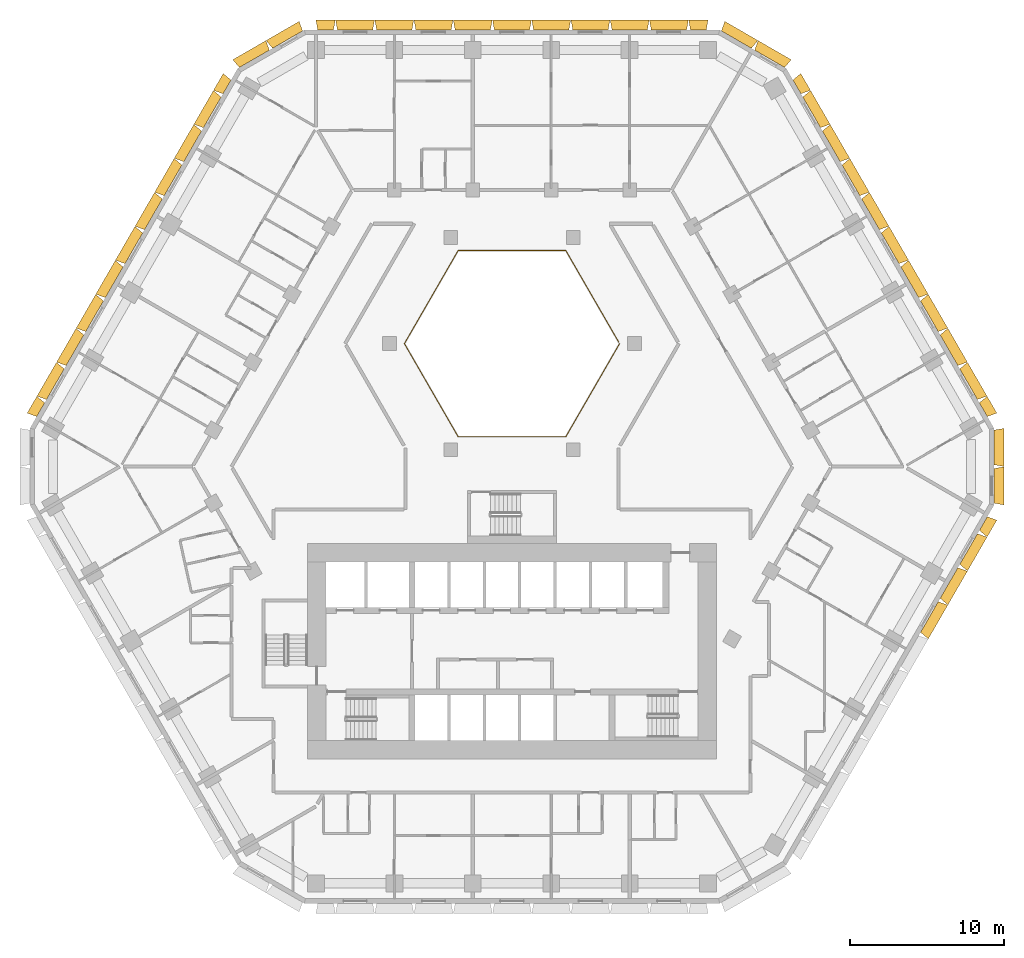
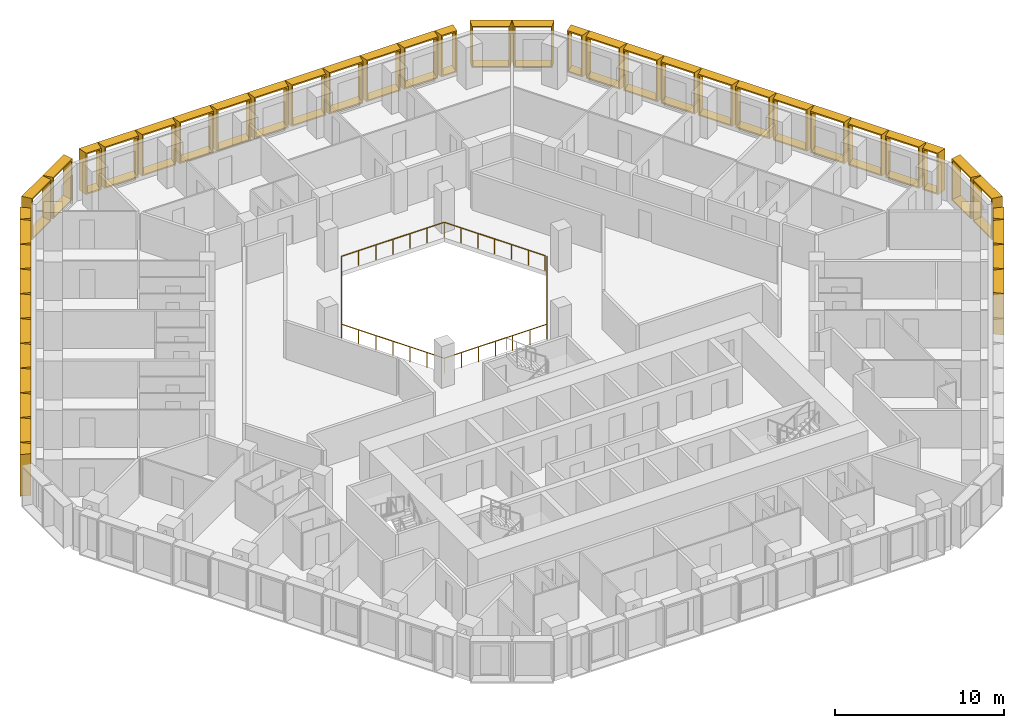
# One storey, part 16 of 16: 43 shading devices, 1 railing.
"""IFC4 building model written with IfcOpenShell, lengths in metres."""

from ifc_helpers import new_model, entity, si_unit, direction, frame, origin, origin_2d, place, context, subcontext, project, spatial, rectangle, extrude, source, transform, mapped, material, type_object, type_shapes, element, save


model = new_model("IFC4")

# Units and contexts
model_context = context("Model", 3, precision=1e-05, world=origin(), true_north=direction((0.0, 1.0)))
body_context = subcontext(model_context, "Body", "Model", "MODEL_VIEW")
ifc_project = project(units=[si_unit("LENGTHUNIT", "METRE"), si_unit("AREAUNIT", "SQUARE_METRE"), si_unit("VOLUMEUNIT", "CUBIC_METRE"), si_unit("PLANEANGLEUNIT", "RADIAN"), si_unit("MASSUNIT", "GRAM", prefix="KILO")], contexts=[model_context])

# Site, building, storey
site_placement = place(None, origin())
site = spatial("IfcSite", under=ifc_project, at=site_placement, CompositionType="ELEMENT")
building_placement = place(site_placement, origin())
building = spatial("IfcBuilding", under=site, at=building_placement, Name="Beryl Residences", CompositionType="ELEMENT")
storey_placement = place(building_placement, frame((0.0, 0.0, 44.39990234375)))
storey = spatial("IfcBuildingStorey", under=building, at=storey_placement, Name="L13", CompositionType="ELEMENT", Elevation=44.39990234375)

# Railing
ifc_material_1 = material(Name="Stainless steel balustrade with glass infill", Category="steel")
railing_type = type_object("IfcRailingType", Name="EG1 edge guard 1100 mm", PredefinedType="GUARDRAIL", material=ifc_material_1)
railing_placement = place(storey_placement, frame((6.9970703125, 8.0, 0.0)))
element("IfcRailing", 1, at=railing_placement, inside=storey, type_object=railing_type, Name="L13 atrium guard", PredefinedType="GUARDRAIL", context=body_context, shape_type="SweptSolid", body=[
    extrude(rectangle(XDim=0.048095703125, YDim=0.048095703125, at=origin_2d()), frame((0.0, 0.0, 1.076171875), z_axis=(-0.499921796684, -0.866070549782, 0.0), x_axis=(0.866070549782, -0.499921796684, 0.0)), (0.0, 0.0, 1.0), 6.9970703125),
    extrude(rectangle(XDim=0.048095703125, YDim=0.048095703125, at=origin_2d()), frame((-3.498046875, -6.06005859375, 1.076171875), z_axis=(-1.0, 0.0, 0.0), x_axis=(0.0, -1.0, 0.0)), (0.0, 0.0, 1.0), 6.998046875),
    extrude(rectangle(XDim=0.048095703125, YDim=0.048095703125, at=origin_2d()), frame((-10.49609375, -6.06005859375, 1.076171875), z_axis=(-0.499921796684, 0.866070549782, 0.0), x_axis=(-0.866070549782, -0.499921796684, 0.0)), (0.0, 0.0, 1.0), 6.9970703125),
    extrude(rectangle(XDim=0.048095703125, YDim=0.048095703125, at=origin_2d()), frame((-13.994140625, 0.0, 1.076171875), z_axis=(0.499921796684, 0.866070549782, 0.0), x_axis=(-0.866070549782, 0.499921796684, 0.0)), (0.0, 0.0, 1.0), 6.9970703125),
    extrude(rectangle(XDim=0.048095703125, YDim=0.048095703125, at=origin_2d()), frame((-10.49609375, 6.06005859375, 1.076171875), z_axis=(1.0, 0.0, 0.0), x_axis=(0.0, 1.0, 0.0)), (0.0, 0.0, 1.0), 6.998046875),
    extrude(rectangle(XDim=0.048095703125, YDim=0.048095703125, at=origin_2d()), frame((-3.498046875, 6.06005859375, 1.076171875), z_axis=(0.499919131929, -0.866072087953, 0.0), x_axis=(0.866072087953, 0.499919131929, 0.0)), (0.0, 0.0, 1.0), 6.877197265625),
    extrude(rectangle(XDim=0.0419921875, YDim=0.0419921875, at=origin_2d()), origin(), (0.0, 0.0, 1.0), 1.052001953125),
    extrude(rectangle(XDim=0.0419921875, YDim=0.0419921875, at=origin_2d()), frame((-0.5830078125, -1.010009765625, 0.0)), (0.0, 0.0, 1.0), 1.052001953125),
    extrude(rectangle(XDim=0.0419921875, YDim=0.0419921875, at=origin_2d()), frame((-1.166015625, -2.02001953125, 0.0)), (0.0, 0.0, 1.0), 1.052001953125),
    extrude(rectangle(XDim=0.0419921875, YDim=0.0419921875, at=origin_2d()), frame((-1.7490234375, -3.030029296875, 0.0)), (0.0, 0.0, 1.0), 1.052001953125),
    extrude(rectangle(XDim=0.0419921875, YDim=0.0419921875, at=origin_2d()), frame((-2.33203125, -4.0400390625, 0.0)), (0.0, 0.0, 1.0), 1.052001953125),
    extrude(rectangle(XDim=0.0419921875, YDim=0.0419921875, at=origin_2d()), frame((-2.9150390625, -5.050048828125, 0.0)), (0.0, 0.0, 1.0), 1.052001953125),
    extrude(rectangle(XDim=0.0419921875, YDim=0.0419921875, at=origin_2d()), frame((-3.498046875, -6.06005859375, 0.0)), (0.0, 0.0, 1.0), 1.052001953125),
    extrude(rectangle(XDim=0.0419921875, YDim=0.0419921875, at=origin_2d()), frame((-4.664306640625, -6.06005859375, 0.0)), (0.0, 0.0, 1.0), 1.052001953125),
    extrude(rectangle(XDim=0.0419921875, YDim=0.0419921875, at=origin_2d()), frame((-5.830810546875, -6.06005859375, 0.0)), (0.0, 0.0, 1.0), 1.052001953125),
    extrude(rectangle(XDim=0.0419921875, YDim=0.0419921875, at=origin_2d()), frame((-6.9970703125, -6.06005859375, 0.0)), (0.0, 0.0, 1.0), 1.052001953125),
    extrude(rectangle(XDim=0.0419921875, YDim=0.0419921875, at=origin_2d()), frame((-8.163330078125, -6.06005859375, 0.0)), (0.0, 0.0, 1.0), 1.052001953125),
    extrude(rectangle(XDim=0.0419921875, YDim=0.0419921875, at=origin_2d()), frame((-9.329833984375, -6.06005859375, 0.0)), (0.0, 0.0, 1.0), 1.052001953125),
    extrude(rectangle(XDim=0.0419921875, YDim=0.0419921875, at=origin_2d()), frame((-10.49609375, -6.06005859375, 0.0)), (0.0, 0.0, 1.0), 1.052001953125),
    extrude(rectangle(XDim=0.0419921875, YDim=0.0419921875, at=origin_2d()), frame((-11.0791015625, -5.050048828125, 0.0)), (0.0, 0.0, 1.0), 1.052001953125),
    extrude(rectangle(XDim=0.0419921875, YDim=0.0419921875, at=origin_2d()), frame((-11.662109375, -4.0400390625, 0.0)), (0.0, 0.0, 1.0), 1.052001953125),
    extrude(rectangle(XDim=0.0419921875, YDim=0.0419921875, at=origin_2d()), frame((-12.2451171875, -3.030029296875, 0.0)), (0.0, 0.0, 1.0), 1.052001953125),
    extrude(rectangle(XDim=0.0419921875, YDim=0.0419921875, at=origin_2d()), frame((-12.828125, -2.02001953125, 0.0)), (0.0, 0.0, 1.0), 1.052001953125),
    extrude(rectangle(XDim=0.0419921875, YDim=0.0419921875, at=origin_2d()), frame((-13.4111328125, -1.010009765625, 0.0)), (0.0, 0.0, 1.0), 1.052001953125),
    extrude(rectangle(XDim=0.0419921875, YDim=0.0419921875, at=origin_2d()), frame((-13.994140625, 0.0, 0.0)), (0.0, 0.0, 1.0), 1.052001953125),
    extrude(rectangle(XDim=0.0419921875, YDim=0.0419921875, at=origin_2d()), frame((-13.4111328125, 1.010009765625, 0.0)), (0.0, 0.0, 1.0), 1.052001953125),
    extrude(rectangle(XDim=0.0419921875, YDim=0.0419921875, at=origin_2d()), frame((-12.828125, 2.02001953125, 0.0)), (0.0, 0.0, 1.0), 1.052001953125),
    extrude(rectangle(XDim=0.0419921875, YDim=0.0419921875, at=origin_2d()), frame((-12.2451171875, 3.030029296875, 0.0)), (0.0, 0.0, 1.0), 1.052001953125),
    extrude(rectangle(XDim=0.0419921875, YDim=0.0419921875, at=origin_2d()), frame((-11.662109375, 4.0400390625, 0.0)), (0.0, 0.0, 1.0), 1.052001953125),
    extrude(rectangle(XDim=0.0419921875, YDim=0.0419921875, at=origin_2d()), frame((-11.0791015625, 5.050048828125, 0.0)), (0.0, 0.0, 1.0), 1.052001953125),
    extrude(rectangle(XDim=0.0419921875, YDim=0.0419921875, at=origin_2d()), frame((-10.49609375, 6.06005859375, 0.0)), (0.0, 0.0, 1.0), 1.052001953125),
    extrude(rectangle(XDim=0.0419921875, YDim=0.0419921875, at=origin_2d()), frame((-9.329833984375, 6.06005859375, 0.0)), (0.0, 0.0, 1.0), 1.052001953125),
    extrude(rectangle(XDim=0.0419921875, YDim=0.0419921875, at=origin_2d()), frame((-8.163330078125, 6.06005859375, 0.0)), (0.0, 0.0, 1.0), 1.052001953125),
    extrude(rectangle(XDim=0.0419921875, YDim=0.0419921875, at=origin_2d()), frame((-6.9970703125, 6.06005859375, 0.0)), (0.0, 0.0, 1.0), 1.052001953125),
    extrude(rectangle(XDim=0.0419921875, YDim=0.0419921875, at=origin_2d()), frame((-5.830810546875, 6.06005859375, 0.0)), (0.0, 0.0, 1.0), 1.052001953125),
    extrude(rectangle(XDim=0.0419921875, YDim=0.0419921875, at=origin_2d()), frame((-4.664306640625, 6.06005859375, 0.0)), (0.0, 0.0, 1.0), 1.052001953125),
    extrude(rectangle(XDim=0.0419921875, YDim=0.0419921875, at=origin_2d()), frame((-3.498046875, 6.06005859375, 0.0)), (0.0, 0.0, 1.0), 1.052001953125),
    extrude(rectangle(XDim=0.0419921875, YDim=0.0419921875, at=origin_2d()), frame((-2.925048828125, 5.0673828125, 0.0)), (0.0, 0.0, 1.0), 1.052001953125),
    extrude(rectangle(XDim=0.0419921875, YDim=0.0419921875, at=origin_2d()), frame((-2.35205078125, 4.07470703125, 0.0)), (0.0, 0.0, 1.0), 1.052001953125),
    extrude(rectangle(XDim=0.0419921875, YDim=0.0419921875, at=origin_2d()), frame((-1.779052734375, 3.08203125, 0.0)), (0.0, 0.0, 1.0), 1.052001953125),
    extrude(rectangle(XDim=0.0419921875, YDim=0.0419921875, at=origin_2d()), frame((-1.2060546875, 2.08935546875, 0.0)), (0.0, 0.0, 1.0), 1.052001953125),
    extrude(rectangle(XDim=0.0419921875, YDim=0.0419921875, at=origin_2d()), frame((-0.633056640625, 1.0966796875, 0.0)), (0.0, 0.0, 1.0), 1.052001953125),
    extrude(rectangle(XDim=0.0419921875, YDim=0.0419921875, at=origin_2d()), frame((-0.06005859375, 0.10400390625, 0.0)), (0.0, 0.0, 1.0), 1.052001953125),
])

# Shading devices
ifc_material_2 = material(Name="Aluminium pale anodised", Category="aluminium")
shading_device_type_1 = type_object("IfcShadingDeviceType", Name="FR128-65A OUTER SKIN frame 650 mm deep, splay 10/10 deg, 1280 x 3000 mm cell", PredefinedType="USERDEFINED", material=ifc_material_2)
cartesian_point_1 = entity("IfcCartesianPoint", [-0.514892578125, 0.0])
cartesian_point_2 = entity("IfcCartesianPoint", [-0.433837890625, 0.10009765625])
cartesian_point_3 = entity("IfcCartesianPoint", [-0.629638671875, 0.0])
cartesian_point_4 = entity("IfcCartesianPoint", [-0.54833984375, 0.10009765625])
shared_shape_1 = source(origin(), body_context, "Body", "SweptSolid", [
    entity("IfcExtrudedAreaSolidTapered", entity("IfcArbitraryProfileDefWithVoids", "AREA", None, entity("IfcPolyline", [cartesian_point_1, entity("IfcCartesianPoint", [0.514892578125, 0.0]), entity("IfcCartesianPoint", [0.514892578125, 3.0]), entity("IfcCartesianPoint", [-0.514892578125, 3.0]), cartesian_point_1]), [entity("IfcPolyline", [cartesian_point_2, entity("IfcCartesianPoint", [0.433837890625, 0.10009765625]), entity("IfcCartesianPoint", [0.433837890625, 2.89990234375]), entity("IfcCartesianPoint", [-0.433837890625, 2.89990234375]), cartesian_point_2])]), entity("IfcAxis2Placement3D", entity("IfcCartesianPoint", [0.0, 0.0, 0.0]), entity("IfcDirection", [0.0, 1.0, 0.0]), entity("IfcDirection", [-1.0, 0.0, 0.0])), entity("IfcDirection", [0.0, 0.0, 1.0]), 0.64990234375, entity("IfcArbitraryProfileDefWithVoids", "AREA", None, entity("IfcPolyline", [cartesian_point_3, entity("IfcCartesianPoint", [0.629638671875, 0.0]), entity("IfcCartesianPoint", [0.629638671875, 3.0]), entity("IfcCartesianPoint", [-0.629638671875, 3.0]), cartesian_point_3]), [entity("IfcPolyline", [cartesian_point_4, entity("IfcCartesianPoint", [0.54833984375, 0.10009765625]), entity("IfcCartesianPoint", [0.54833984375, 2.89990234375]), entity("IfcCartesianPoint", [-0.54833984375, 2.89990234375]), cartesian_point_4])])),
])
type_shapes(shading_device_type_1, [shared_shape_1])
for number, where, z_axis, x_axis, name in (
    (2, (12.12109375, 28.39990234375, 0.0), (0.0, 0.0, 1.0), (1.0, 0.0, 0.0), "FR128-65A frame L13 N 1"),
    (3, (-12.123046875, 28.39990234375, 0.0), (0.0, 0.0, 1.0), (1.0, 0.0, 0.0), "FR128-65A frame L13 N 11"),
    (4, (-18.534912109375, 24.697021484375, 0.0), (0.0, 0.0, 1.0), (0.5, 0.866025403784, 0.0), "FR128-65A frame L13 NW 1"),
    (5, (-30.656005859375, 3.700927734375, 0.0), (0.0, 0.0, 1.0), (0.5, 0.866025403784, 0.0), "FR128-65A frame L13 NW 11"),
    (6, (30.656005859375, -3.700927734375, 0.0), (0.0, 0.0, 1.0), (-0.5, -0.866025403784, 0.0), "FR128-65A frame L13 SE 11"),
    (7, (30.655029296875, 3.702880859375, 0.0), (0.0, 0.0, 1.0), (0.5, -0.866025403784, 0.0), "FR128-65A frame L13 NE 1"),
    (8, (18.533935546875, 24.698974609375, 0.0), (0.0, 0.0, 1.0), (0.5, -0.866025403784, 0.0), "FR128-65A frame L13 NE 11"),
):
    element("IfcShadingDevice", number, at=place(storey_placement, frame(where, z_axis=z_axis, x_axis=x_axis)), inside=storey, type_object=shading_device_type_1, Name=name, ObjectType="OUTER SKIN", PredefinedType="USERDEFINED", context=body_context, shape_type="MappedRepresentation", body=[
        mapped(shared_shape_1, transform((0.0, 0.0, 0.0))),
    ])
ifc_material_3 = material(Name="Aluminium pale anodised", Category="aluminium")
shading_device_type_2 = type_object("IfcShadingDeviceType", Name="FR250-65A OUTER SKIN frame 650 mm deep, splay 10/10 deg, 2500 x 3000 mm cell", PredefinedType="USERDEFINED", material=ifc_material_3)
cartesian_point_5 = entity("IfcCartesianPoint", [-1.125, 0.0])
cartesian_point_6 = entity("IfcCartesianPoint", [-1.043701171875, 0.10009765625])
cartesian_point_7 = entity("IfcCartesianPoint", [-1.239501953125, 0.0])
cartesian_point_8 = entity("IfcCartesianPoint", [-1.158447265625, 0.10009765625])
shared_shape_2 = source(origin(), body_context, "Body", "SweptSolid", [
    entity("IfcExtrudedAreaSolidTapered", entity("IfcArbitraryProfileDefWithVoids", "AREA", None, entity("IfcPolyline", [cartesian_point_5, entity("IfcCartesianPoint", [1.125, 0.0]), entity("IfcCartesianPoint", [1.125, 3.0]), entity("IfcCartesianPoint", [-1.125, 3.0]), cartesian_point_5]), [entity("IfcPolyline", [cartesian_point_6, entity("IfcCartesianPoint", [1.043701171875, 0.10009765625]), entity("IfcCartesianPoint", [1.043701171875, 2.89990234375]), entity("IfcCartesianPoint", [-1.043701171875, 2.89990234375]), cartesian_point_6])]), entity("IfcAxis2Placement3D", entity("IfcCartesianPoint", [0.0, 0.0, 0.0]), entity("IfcDirection", [0.0, 1.0, 0.0]), entity("IfcDirection", [-1.0, 0.0, 0.0])), entity("IfcDirection", [0.0, 0.0, 1.0]), 0.64990234375, entity("IfcArbitraryProfileDefWithVoids", "AREA", None, entity("IfcPolyline", [cartesian_point_7, entity("IfcCartesianPoint", [1.239501953125, 0.0]), entity("IfcCartesianPoint", [1.239501953125, 3.0]), entity("IfcCartesianPoint", [-1.239501953125, 3.0]), cartesian_point_7]), [entity("IfcPolyline", [cartesian_point_8, entity("IfcCartesianPoint", [1.158447265625, 0.10009765625]), entity("IfcCartesianPoint", [1.158447265625, 2.89990234375]), entity("IfcCartesianPoint", [-1.158447265625, 2.89990234375]), cartesian_point_8])])),
])
type_shapes(shading_device_type_2, [shared_shape_2])
for number, where, z_axis, x_axis, name in (
    (9, (-14.593017578125, 27.77490234375, 0.0), (0.0, 0.0, 1.0), (0.866025403784, 0.5, 0.0), "FR250-65A frame L13 N-NW 1"),
    (10, (-16.758056640625, 26.52490234375, 0.0), (0.0, 0.0, 1.0), (0.866025403784, 0.5, 0.0), "FR250-65A frame L13 N-NW 2"),
    (11, (31.35009765625, -1.25, 0.0), (0.0, 0.0, 1.0), (0.0, -1.0, 0.0), "FR250-65A frame L13 SE-NE 1"),
    (12, (31.35009765625, 1.25, 0.0), (0.0, 0.0, 1.0), (0.0, -1.0, 0.0), "FR250-65A frame L13 SE-NE 2"),
    (13, (16.758056640625, 26.52490234375, 0.0), (0.0, 0.0, 1.0), (0.866025403784, -0.5, 0.0), "FR250-65A frame L13 NE-N 1"),
    (14, (14.593017578125, 27.77490234375, 0.0), (0.0, 0.0, 1.0), (0.866025403784, -0.5, 0.0), "FR250-65A frame L13 NE-N 2"),
):
    element("IfcShadingDevice", number, at=place(storey_placement, frame(where, z_axis=z_axis, x_axis=x_axis)), inside=storey, type_object=shading_device_type_2, Name=name, ObjectType="OUTER SKIN", PredefinedType="USERDEFINED", context=body_context, shape_type="MappedRepresentation", body=[
        mapped(shared_shape_2, transform((0.0, 0.0, 0.0))),
    ])
ifc_material_4 = material(Name="Aluminium pale anodised", Category="aluminium")
shading_device_type_3 = type_object("IfcShadingDeviceType", Name="FR255-65A OUTER SKIN frame 650 mm deep, splay 10/10 deg, 2550 x 3000 mm cell", PredefinedType="USERDEFINED", material=ifc_material_4)
cartesian_point_9 = entity("IfcCartesianPoint", [-1.14990234375, 0.0])
cartesian_point_10 = entity("IfcCartesianPoint", [-1.06884765625, 0.10009765625])
cartesian_point_11 = entity("IfcCartesianPoint", [-1.2646484375, 0.0])
cartesian_point_12 = entity("IfcCartesianPoint", [-1.183349609375, 0.10009765625])
shared_shape_3 = source(origin(), body_context, "Body", "SweptSolid", [
    entity("IfcExtrudedAreaSolidTapered", entity("IfcArbitraryProfileDefWithVoids", "AREA", None, entity("IfcPolyline", [cartesian_point_9, entity("IfcCartesianPoint", [1.14990234375, 0.0]), entity("IfcCartesianPoint", [1.14990234375, 3.0]), entity("IfcCartesianPoint", [-1.14990234375, 3.0]), cartesian_point_9]), [entity("IfcPolyline", [cartesian_point_10, entity("IfcCartesianPoint", [1.06884765625, 0.10009765625]), entity("IfcCartesianPoint", [1.06884765625, 2.89990234375]), entity("IfcCartesianPoint", [-1.06884765625, 2.89990234375]), cartesian_point_10])]), entity("IfcAxis2Placement3D", entity("IfcCartesianPoint", [0.0, 0.0, 0.0]), entity("IfcDirection", [0.0, 1.0, 0.0]), entity("IfcDirection", [-1.0, 0.0, 0.0])), entity("IfcDirection", [0.0, 0.0, 1.0]), 0.64990234375, entity("IfcArbitraryProfileDefWithVoids", "AREA", None, entity("IfcPolyline", [cartesian_point_11, entity("IfcCartesianPoint", [1.2646484375, 0.0]), entity("IfcCartesianPoint", [1.2646484375, 3.0]), entity("IfcCartesianPoint", [-1.2646484375, 3.0]), cartesian_point_11]), [entity("IfcPolyline", [cartesian_point_12, entity("IfcCartesianPoint", [1.183349609375, 0.10009765625]), entity("IfcCartesianPoint", [1.183349609375, 2.89990234375]), entity("IfcCartesianPoint", [-1.183349609375, 2.89990234375]), cartesian_point_12])])),
])
type_shapes(shading_device_type_3, [shared_shape_3])
for number, where, z_axis, x_axis, name in (
    (15, (10.20703125, 28.39990234375, 0.0), (0.0, 0.0, 1.0), (1.0, 0.0, 0.0), "FR255-65A frame L13 N 2"),
    (16, (7.655029296875, 28.39990234375, 0.0), (0.0, 0.0, 1.0), (1.0, 0.0, 0.0), "FR255-65A frame L13 N 3"),
    (17, (5.10302734375, 28.39990234375, 0.0), (0.0, 0.0, 1.0), (1.0, 0.0, 0.0), "FR255-65A frame L13 N 4"),
    (18, (2.551025390625, 28.39990234375, 0.0), (0.0, 0.0, 1.0), (1.0, 0.0, 0.0), "FR255-65A frame L13 N 5"),
    (19, (-0.0009765625, 28.39990234375, 0.0), (0.0, 0.0, 1.0), (1.0, 0.0, 0.0), "FR255-65A frame L13 N 6"),
    (20, (-2.552978515625, 28.39990234375, 0.0), (0.0, 0.0, 1.0), (1.0, 0.0, 0.0), "FR255-65A frame L13 N 7"),
    (21, (-5.10498046875, 28.39990234375, 0.0), (0.0, 0.0, 1.0), (1.0, 0.0, 0.0), "FR255-65A frame L13 N 8"),
    (22, (-7.656982421875, 28.39990234375, 0.0), (0.0, 0.0, 1.0), (1.0, 0.0, 0.0), "FR255-65A frame L13 N 9"),
    (23, (-10.208984375, 28.39990234375, 0.0), (0.0, 0.0, 1.0), (1.0, 0.0, 0.0), "FR255-65A frame L13 N 10"),
    (24, (-19.491943359375, 23.0400390625, 0.0), (0.0, 0.0, 1.0), (0.5, 0.866025403784, 0.0), "FR255-65A frame L13 NW 2"),
    (25, (-20.76806640625, 20.830078125, 0.0), (0.0, 0.0, 1.0), (0.5, 0.866025403784, 0.0), "FR255-65A frame L13 NW 3"),
    (26, (-22.0439453125, 18.618896484375, 0.0), (0.0, 0.0, 1.0), (0.5, 0.866025403784, 0.0), "FR255-65A frame L13 NW 4"),
    (27, (-23.320068359375, 16.408935546875, 0.0), (0.0, 0.0, 1.0), (0.5, 0.866025403784, 0.0), "FR255-65A frame L13 NW 5"),
    (28, (-24.594970703125, 14.198974609375, 0.0), (0.0, 0.0, 1.0), (0.5, 0.866025403784, 0.0), "FR255-65A frame L13 NW 6"),
    (29, (-25.87109375, 11.989013671875, 0.0), (0.0, 0.0, 1.0), (0.5, 0.866025403784, 0.0), "FR255-65A frame L13 NW 7"),
    (30, (-27.14697265625, 9.779052734375, 0.0), (0.0, 0.0, 1.0), (0.5, 0.866025403784, 0.0), "FR255-65A frame L13 NW 8"),
    (31, (-28.423095703125, 7.569091796875, 0.0), (0.0, 0.0, 1.0), (0.5, 0.866025403784, 0.0), "FR255-65A frame L13 NW 9"),
    (32, (-29.698974609375, 5.35888671875, 0.0), (0.0, 0.0, 1.0), (0.5, 0.866025403784, 0.0), "FR255-65A frame L13 NW 10"),
    (33, (27.14697265625, -9.779052734375, 0.0), (0.0, 0.0, 1.0), (-0.5, -0.866025403784, 0.0), "FR255-65A frame L13 SE 8"),
    (34, (28.423095703125, -7.569091796875, 0.0), (0.0, 0.0, 1.0), (-0.5, -0.866025403784, 0.0), "FR255-65A frame L13 SE 9"),
    (35, (29.698974609375, -5.35888671875, 0.0), (0.0, 0.0, 1.0), (-0.5, -0.866025403784, 0.0), "FR255-65A frame L13 SE 10"),
    (36, (29.697998046875, 5.360107421875, 0.0), (0.0, 0.0, 1.0), (0.5, -0.866025403784, 0.0), "FR255-65A frame L13 NE 2"),
    (37, (28.422119140625, 7.570068359375, 0.0), (0.0, 0.0, 1.0), (0.5, -0.866025403784, 0.0), "FR255-65A frame L13 NE 3"),
    (38, (27.14599609375, 9.781005859375, 0.0), (0.0, 0.0, 1.0), (0.5, -0.866025403784, 0.0), "FR255-65A frame L13 NE 4"),
    (39, (25.8701171875, 11.990966796875, 0.0), (0.0, 0.0, 1.0), (0.5, -0.866025403784, 0.0), "FR255-65A frame L13 NE 5"),
    (40, (24.594970703125, 14.200927734375, 0.0), (0.0, 0.0, 1.0), (0.5, -0.866025403784, 0.0), "FR255-65A frame L13 NE 6"),
    (41, (23.319091796875, 16.410888671875, 0.0), (0.0, 0.0, 1.0), (0.5, -0.866025403784, 0.0), "FR255-65A frame L13 NE 7"),
    (42, (22.04296875, 18.62109375, 0.0), (0.0, 0.0, 1.0), (0.5, -0.866025403784, 0.0), "FR255-65A frame L13 NE 8"),
    (43, (20.76708984375, 20.8310546875, 0.0), (0.0, 0.0, 1.0), (0.5, -0.866025403784, 0.0), "FR255-65A frame L13 NE 9"),
    (44, (19.490966796875, 23.041015625, 0.0), (0.0, 0.0, 1.0), (0.5, -0.866025403784, 0.0), "FR255-65A frame L13 NE 10"),
):
    element("IfcShadingDevice", number, at=place(storey_placement, frame(where, z_axis=z_axis, x_axis=x_axis)), inside=storey, type_object=shading_device_type_3, Name=name, ObjectType="OUTER SKIN", PredefinedType="USERDEFINED", context=body_context, shape_type="MappedRepresentation", body=[
        mapped(shared_shape_3, transform((0.0, 0.0, 0.0))),
    ])

save(model, "model.ifc")
